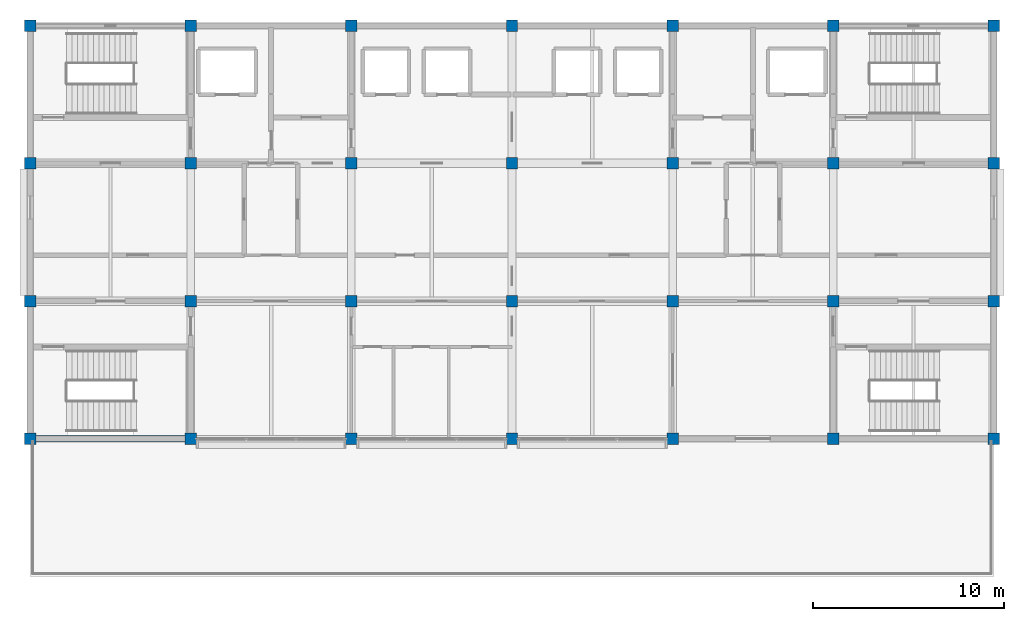
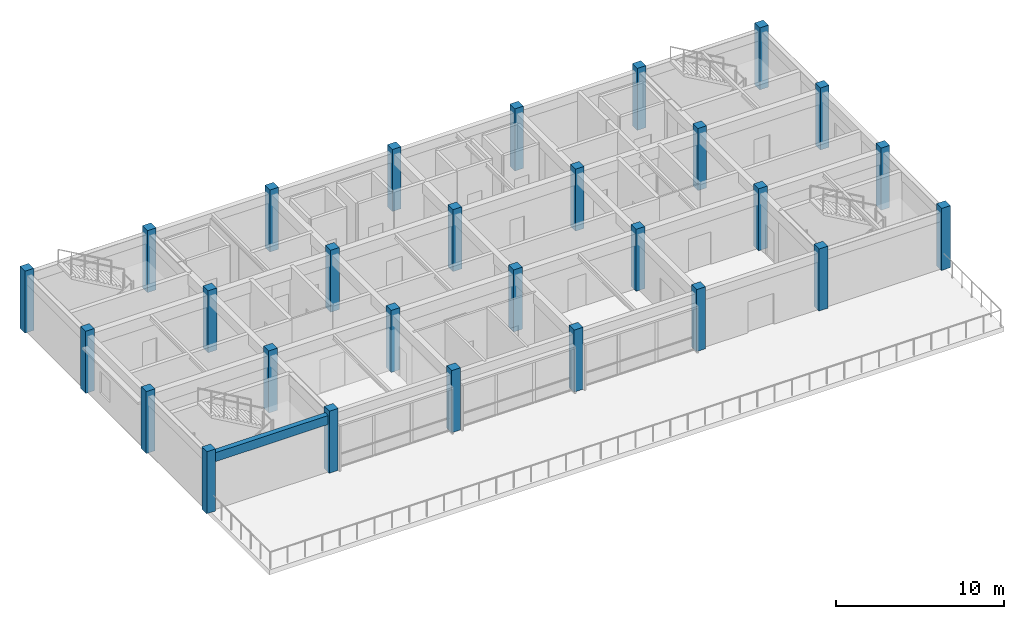
# One storey, part 1 of 11: 28 columns, 1 beam.
"""IFC4 building model written with IfcOpenShell, lengths in metres."""

from ifc_helpers import new_model, si_unit, direction, frame, origin, origin_2d, place, context, subcontext, project, spatial, rectangle, extrude, material, material_profile, profile_set, type_object, element, save


model = new_model("IFC4")

# Units and contexts
model_context = context("Model", 3, precision=1e-05, world=origin(), true_north=direction((0.0, 1.0)))
body_context = subcontext(model_context, "Body", "Model", "MODEL_VIEW")
ifc_project = project(units=[si_unit("LENGTHUNIT", "METRE"), si_unit("AREAUNIT", "SQUARE_METRE"), si_unit("VOLUMEUNIT", "CUBIC_METRE"), si_unit("PLANEANGLEUNIT", "RADIAN"), si_unit("MASSUNIT", "GRAM", prefix="KILO")], contexts=[model_context])

# Site, building, storey
site_placement = place(None, origin())
site = spatial("IfcSite", under=ifc_project, at=site_placement, CompositionType="ELEMENT")
building_placement = place(site_placement, origin())
building = spatial("IfcBuilding", under=site, at=building_placement, Name="Chengyuan Square Courthouse", CompositionType="ELEMENT")
storey_placement = place(building_placement, frame((0.0, 0.0, 68.699951171875)))
storey = spatial("IfcBuildingStorey", under=building, at=storey_placement, Name="L16", CompositionType="ELEMENT", Elevation=68.699951171875)

# Columns
ifc_material = material(Name="Concrete C40", Category="concrete")
ifc_material_profile_1 = material_profile(ifc_material, rectangle(XDim=0.60009765625, YDim=0.60009765625, at=origin_2d()), Name="RC-COL-600x600")
ifc_profile_set_1 = profile_set([ifc_material_profile_1], Name="Concrete C40")
column_type = type_object("IfcColumnType", Name="CL-07", PredefinedType="COLUMN", material=ifc_profile_set_1)
for number, where, z_axis, x_axis, name in (
    (1, (58.800048828125, 86.39990234375, 0.0), (0.0, 0.0, 1.0), (1.0, 0.0, 0.0), "Column CL-L16-001"),
    (2, (58.800048828125, 93.60009765625, 0.0), (0.0, 0.0, 1.0), (1.0, 0.0, 0.0), "Column CL-L16-002"),
    (3, (58.800048828125, 100.800048828125, 0.0), (0.0, 0.0, 1.0), (1.0, 0.0, 0.0), "Column CL-L16-003"),
    (4, (58.800048828125, 108.0, 0.0), (0.0, 0.0, 1.0), (1.0, 0.0, 0.0), "Column CL-L16-004"),
    (5, (67.199951171875, 86.39990234375, 0.0), (0.0, 0.0, 1.0), (1.0, 0.0, 0.0), "Column CL-L16-005"),
    (6, (67.199951171875, 93.60009765625, 0.0), (0.0, 0.0, 1.0), (1.0, 0.0, 0.0), "Column CL-L16-006"),
    (7, (67.199951171875, 100.800048828125, 0.0), (0.0, 0.0, 1.0), (1.0, 0.0, 0.0), "Column CL-L16-007"),
    (8, (67.199951171875, 108.0, 0.0), (0.0, 0.0, 1.0), (1.0, 0.0, 0.0), "Column CL-L16-008"),
    (9, (75.60009765625, 86.39990234375, 0.0), (0.0, 0.0, 1.0), (1.0, 0.0, 0.0), "Column CL-L16-009"),
    (10, (75.60009765625, 93.60009765625, 0.0), (0.0, 0.0, 1.0), (1.0, 0.0, 0.0), "Column CL-L16-010"),
    (11, (75.60009765625, 100.800048828125, 0.0), (0.0, 0.0, 1.0), (1.0, 0.0, 0.0), "Column CL-L16-011"),
    (12, (75.60009765625, 108.0, 0.0), (0.0, 0.0, 1.0), (1.0, 0.0, 0.0), "Column CL-L16-012"),
    (13, (84.0, 86.39990234375, 0.0), (0.0, 0.0, 1.0), (1.0, 0.0, 0.0), "Column CL-L16-013"),
    (14, (84.0, 93.60009765625, 0.0), (0.0, 0.0, 1.0), (1.0, 0.0, 0.0), "Column CL-L16-014"),
    (15, (84.0, 100.800048828125, 0.0), (0.0, 0.0, 1.0), (1.0, 0.0, 0.0), "Column CL-L16-015"),
    (16, (84.0, 108.0, 0.0), (0.0, 0.0, 1.0), (1.0, 0.0, 0.0), "Column CL-L16-016"),
    (17, (92.39990234375, 86.39990234375, 0.0), (0.0, 0.0, 1.0), (1.0, 0.0, 0.0), "Column CL-L16-017"),
    (18, (92.39990234375, 93.60009765625, 0.0), (0.0, 0.0, 1.0), (1.0, 0.0, 0.0), "Column CL-L16-018"),
    (19, (92.39990234375, 100.800048828125, 0.0), (0.0, 0.0, 1.0), (1.0, 0.0, 0.0), "Column CL-L16-019"),
    (20, (92.39990234375, 108.0, 0.0), (0.0, 0.0, 1.0), (1.0, 0.0, 0.0), "Column CL-L16-020"),
    (21, (100.800048828125, 86.39990234375, 0.0), (0.0, 0.0, 1.0), (1.0, 0.0, 0.0), "Column CL-L16-021"),
    (22, (100.800048828125, 93.60009765625, 0.0), (0.0, 0.0, 1.0), (1.0, 0.0, 0.0), "Column CL-L16-022"),
    (23, (100.800048828125, 100.800048828125, 0.0), (0.0, 0.0, 1.0), (1.0, 0.0, 0.0), "Column CL-L16-023"),
    (24, (100.800048828125, 108.0, 0.0), (0.0, 0.0, 1.0), (1.0, 0.0, 0.0), "Column CL-L16-024"),
    (25, (109.199951171875, 86.39990234375, 0.0), (0.0, 0.0, 1.0), (1.0, 0.0, 0.0), "Column CL-L16-025"),
    (26, (109.199951171875, 93.60009765625, 0.0), (0.0, 0.0, 1.0), (1.0, 0.0, 0.0), "Column CL-L16-026"),
    (27, (109.199951171875, 100.800048828125, 0.0), (0.0, 0.0, 1.0), (1.0, 0.0, 0.0), "Column CL-L16-027"),
    (28, (109.199951171875, 108.0, 0.0), (0.0, 0.0, 1.0), (1.0, 0.0, 0.0), "Column CL-L16-028"),
):
    element("IfcColumn", number, at=place(storey_placement, frame(where, z_axis=z_axis, x_axis=x_axis)), inside=storey, type_object=column_type, Name=name, PredefinedType="COLUMN", context=body_context, shape_type="SweptSolid", body=[
        extrude(rectangle(XDim=0.60009765625, YDim=0.60009765625, at=origin_2d()), origin(), (0.0, 0.0, 1.0), 4.5),
    ])

# Beam
ifc_material_profile_2 = material_profile(ifc_material, rectangle(XDim=0.35009765625, YDim=0.64990234375, at=origin_2d()), Name="RC-BM-350x650")
ifc_profile_set_2 = profile_set([ifc_material_profile_2], Name="Concrete C40")
beam_type = type_object("IfcBeamType", Name="BM-03", PredefinedType="SPANDREL", material=ifc_profile_set_2)
beam_placement = place(storey_placement, frame((58.800048828125, 86.39990234375, 3.795166015625), z_axis=(1.0, 0.0, 0.0), x_axis=(0.0, 1.0, 0.0)))
element("IfcBeam", 29, at=beam_placement, inside=storey, type_object=beam_type, Name="Girder BM-L16-4558", PredefinedType="SPANDREL", context=body_context, shape_type="SweptSolid", body=[
    extrude(rectangle(XDim=0.35009765625, YDim=0.64990234375, at=origin_2d()), origin(), (0.0, 0.0, 1.0), 8.39990234375),
])

save(model, "model.ifc")
